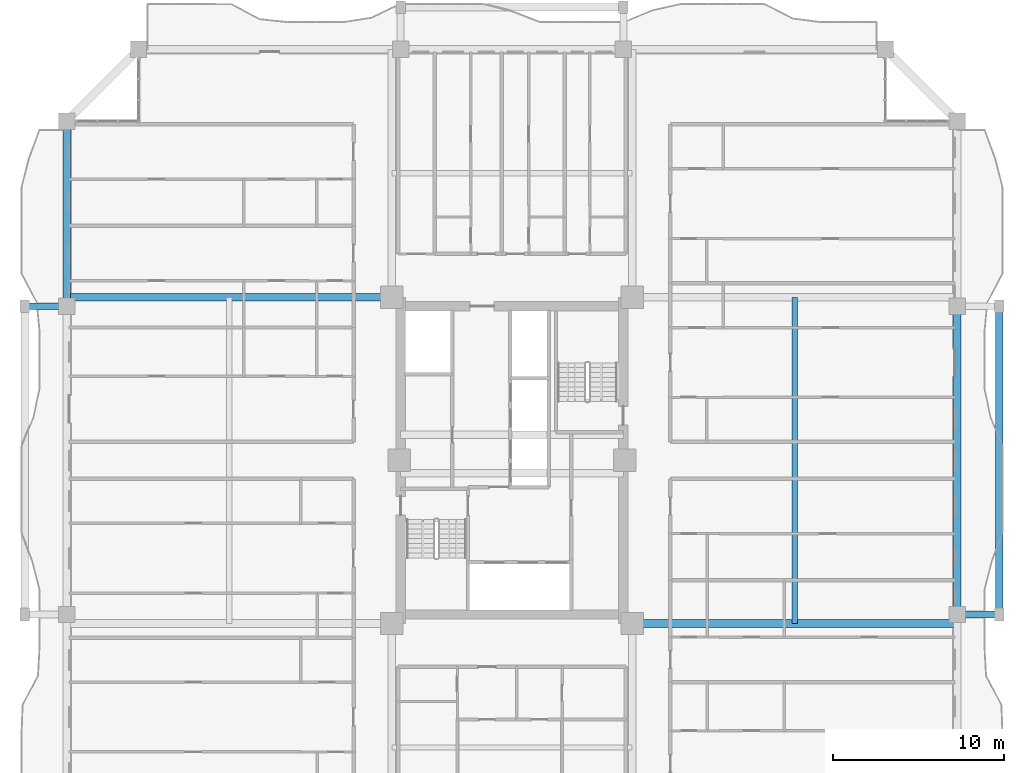
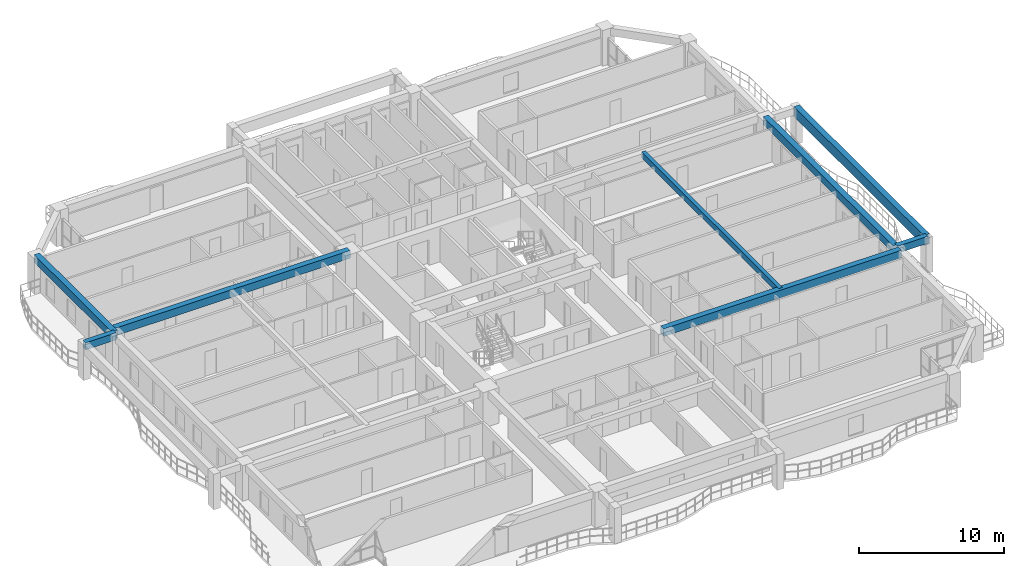
# One storey, part 5 of 26: 8 beams.
"""IFC4 building model written with IfcOpenShell, lengths in metres."""

import ifcopenshell
import ifcopenshell.guid

model = None  # the IFC model being written
_history = None  # IfcOwnerHistory: only IFC2X3 demands one
_inside = {}  # id of a spatial element -> (the spatial element, [elements in it])
_under = {}  # id of a project, library or spatial element -> (it, [spatial elements below it])
_declared = {}  # id of a project -> (the project, [libraries it declares])
_typed = {}  # id of a type object -> (the type object, [elements of that type])
_made_of = {}  # id of a material, layer set ... -> (it, [elements and type objects made of it])


def new_model(schema):
    """Start an empty IFC model of exactly this schema.

    Asked for "IFC4X3", IfcOpenShell would pick the latest addendum, in which some entities
    have other attributes; the version numbers below select the first issue.
    IFC2X3 requires an IfcOwnerHistory on every rooted entity: one is made here for all.
    """
    global model, _history
    if schema == "IFC4X3":
        model = ifcopenshell.file(schema_version=(4, 3, 0, 0))
    else:
        model = ifcopenshell.file(schema=schema)
    _inside.clear()
    _under.clear()
    _declared.clear()
    _typed.clear()
    _made_of.clear()
    _history = None
    if model.schema == "IFC2X3":
        org = make("IfcOrganization", Name="unknown")
        user = make(
            "IfcPersonAndOrganization",
            ThePerson=make("IfcPerson", FamilyName="unknown"),
            TheOrganization=org,
        )
        app = make(
            "IfcApplication",
            ApplicationDeveloper=org,
            Version="unknown",
            ApplicationFullName="unknown",
            ApplicationIdentifier="unknown",
        )
        _history = make(
            "IfcOwnerHistory",
            OwningUser=user,
            OwningApplication=app,
            ChangeAction="ADDED",
            CreationDate=0,
        )
    return model


def make(cls, **values):
    """One entity of the class cls with the attributes given. An attribute that is None is left unset."""
    return model.create_entity(
        cls, **{name: value for name, value in values.items() if value is not None}
    )


def rooted(cls, **values):
    """An entity with a GlobalId (a new one), such as an element, a storey or a relation."""
    return make(cls, GlobalId=ifcopenshell.guid.new(), OwnerHistory=_history, **values)


def si_unit(unit_type, name, prefix=None):
    """IfcSIUnit, for example si_unit("LENGTHUNIT", "METRE", prefix="MILLI")."""
    return make("IfcSIUnit", UnitType=unit_type, Prefix=prefix, Name=name)


def assignment(units):
    """IfcUnitAssignment: the units of a project."""
    return None if units is None else make("IfcUnitAssignment", Units=units)


def point(xyz):
    """IfcCartesianPoint."""
    return None if xyz is None else make("IfcCartesianPoint", Coordinates=xyz)


def direction(xyz):
    """IfcDirection."""
    return None if xyz is None else make("IfcDirection", DirectionRatios=xyz)


def frame(location, z_axis=None, x_axis=None):
    """IfcAxis2Placement3D, a coordinate frame: its origin and axes. An axis left out is left unset."""
    return make(
        "IfcAxis2Placement3D",
        Location=point(location),
        Axis=direction(z_axis),
        RefDirection=direction(x_axis),
    )


def frame_2d(location, x_axis=None):
    """IfcAxis2Placement2D, a coordinate frame in the plane: its origin and x axis."""
    return make(
        "IfcAxis2Placement2D", Location=point(location), RefDirection=direction(x_axis)
    )


def origin():
    """The frame at (0, 0, 0) with its axes left unset."""
    return frame((0.0, 0.0, 0.0))


def origin_2d():
    """The frame at (0, 0) in the plane with its x axis left unset."""
    return frame_2d((0.0, 0.0))


def place(relative_to, where):
    """IfcLocalPlacement: puts the frame where relative to a parent placement (None: the world)."""
    return make(
        "IfcLocalPlacement", PlacementRelTo=relative_to, RelativePlacement=where
    )


def context(
    kind, dimensions, precision=None, world=None, true_north=None, identifier=None
):
    """IfcGeometricRepresentationContext, for example the 3D "Model" context."""
    return make(
        "IfcGeometricRepresentationContext",
        ContextIdentifier=identifier,
        ContextType=kind,
        CoordinateSpaceDimension=dimensions,
        Precision=precision,
        WorldCoordinateSystem=world,
        TrueNorth=true_north,
    )


def subcontext(parent, identifier, kind, view, scale=None):
    """IfcGeometricRepresentationSubContext, for example "Body" below "Model"."""
    return make(
        "IfcGeometricRepresentationSubContext",
        ContextIdentifier=identifier,
        ContextType=kind,
        ParentContext=parent,
        TargetScale=scale,
        TargetView=view,
    )


def project(units=None, contexts=None):
    """IfcProject with its units and contexts."""
    return rooted(
        "IfcProject",
        Name="project",
        RepresentationContexts=contexts,
        UnitsInContext=assignment(units),
    )


def spatial(cls, under=None, at=None, **own):
    """A site, building, storey or space (cls), placed at a placement, below another one or the project."""
    s = rooted(cls, ObjectPlacement=at, **own)
    if under is not None:
        _under.setdefault(under.id(), (under, []))[1].append(s)
    return s


def profile(cls, at=None, kind="AREA", **sizes):
    """A parametric profile (cls). Its sizes go by their IFC names, for example OverallWidth=200.0."""
    return make(cls, ProfileType=kind, Position=at, **sizes)


def rectangle(**sizes):
    """IfcRectangleProfileDef."""
    return profile("IfcRectangleProfileDef", **sizes)


def extrude(swept, where, along, depth):
    """IfcExtrudedAreaSolid: the profile swept, set in the frame where, extruded along a direction by depth."""
    return make(
        "IfcExtrudedAreaSolid",
        SweptArea=swept,
        Position=where,
        ExtrudedDirection=direction(along),
        Depth=depth,
    )


def shape(context_of_items, identifier, shape_type, items):
    """IfcShapeRepresentation: the items that make up one representation, for example the "Body"."""
    return make(
        "IfcShapeRepresentation",
        ContextOfItems=context_of_items,
        RepresentationIdentifier=identifier,
        RepresentationType=shape_type,
        Items=items,
    )


def source(mapping_origin, context_of_items, identifier, shape_type, items):
    """IfcRepresentationMap: a shape defined once, which mapped items show again and again."""
    return make(
        "IfcRepresentationMap",
        MappingOrigin=mapping_origin,
        MappedRepresentation=shape(context_of_items, identifier, shape_type, items),
    )


def transform(
    local_origin,
    x_axis=None,
    y_axis=None,
    z_axis=None,
    scale=None,
    scale2=None,
    scale3=None,
    uniform=True,
):
    """IfcCartesianTransformationOperator3D, or its non-uniform kind. x_axis, y_axis, z_axis: its Axis1, 2, 3."""
    if uniform:
        return make(
            "IfcCartesianTransformationOperator3D",
            Axis1=direction(x_axis),
            Axis2=direction(y_axis),
            LocalOrigin=point(local_origin),
            Scale=scale,
            Axis3=direction(z_axis),
        )
    return make(
        "IfcCartesianTransformationOperator3DnonUniform",
        Axis1=direction(x_axis),
        Axis2=direction(y_axis),
        LocalOrigin=point(local_origin),
        Scale=scale,
        Axis3=direction(z_axis),
        Scale2=scale2,
        Scale3=scale3,
    )


def mapped(mapping_source, mapping_target):
    """IfcMappedItem: shows the shape of a source again, moved by a transform."""
    return make(
        "IfcMappedItem", MappingSource=mapping_source, MappingTarget=mapping_target
    )


def material(Name=None, Category=None):
    """IfcMaterial."""
    return make("IfcMaterial", Name=Name, Category=Category)


def material_profile(
    of_material, cross_section, Name=None, Category=None, Priority=None
):
    """IfcMaterialProfile: a cross section and its material."""
    return make(
        "IfcMaterialProfile",
        Name=Name,
        Material=of_material,
        Profile=cross_section,
        Priority=Priority,
        Category=Category,
    )


def profile_set(profiles, Name=None, composite=None):
    """IfcMaterialProfileSet."""
    return make(
        "IfcMaterialProfileSet",
        Name=Name,
        MaterialProfiles=profiles,
        CompositeProfile=composite,
    )


def made_of(thing, what):
    """Note that an element or type object is made of a material, layer set ...; save() writes the relation."""
    if what is not None:
        _made_of.setdefault(what.id(), (what, []))[1].append(thing)
    return thing


def type_object(cls, material=None, **own):
    """A type object (cls), such as IfcWallType, which elements share."""
    return made_of(rooted(cls, **own), material)


def element(
    cls,
    number,
    at=None,
    inside=None,
    cuts=None,
    type_object=None,
    material=None,
    context=None,
    identifier="Body",
    shape_type=None,
    held_by="IfcProductDefinitionShape",
    body=None,
    shapes=None,
    **own,
):
    """One element of the class cls, such as IfcWall. Its Tag is "e" and its number.

    at: its placement. inside: the storey or other place that contains it. cuts: it is an
    opening in that element (IfcRelVoidsElement). A single representation is given by context,
    identifier, shape_type and body (its items); several are given by shapes. held_by: the class
    of the entity that holds the representations. save() writes the other relations.
    """
    e = rooted(cls, Tag="e%d" % number, ObjectPlacement=at, **own)
    if body is not None:
        shapes = [shape(context, identifier, shape_type, body)]
    if shapes is not None:
        e.Representation = make(held_by, Representations=shapes)
    if inside is not None:
        _inside.setdefault(inside.id(), (inside, []))[1].append(e)
    if cuts is not None:
        rooted(
            "IfcRelVoidsElement", RelatingBuildingElement=cuts, RelatedOpeningElement=e
        )
    if type_object is not None:
        _typed.setdefault(type_object.id(), (type_object, []))[1].append(e)
    return made_of(e, material)


def aggregate(whole, parts):
    """IfcRelAggregates: a whole, such as a stair, and the parts it consists of."""
    return rooted("IfcRelAggregates", RelatingObject=whole, RelatedObjects=parts)


def save(model, path):
    """Write the relations noted so far, then the file.

    IfcRelAggregates (storeys below a building ...), IfcRelContainedInSpatialStructure (elements
    in a storey), IfcRelDefinesByType, IfcRelAssociatesMaterial and IfcRelDeclares: one each for
    every whole, place, type object, material and project.
    """
    for whole, parts in _under.values():
        aggregate(whole, parts)
    for where, things in _inside.values():
        rooted(
            "IfcRelContainedInSpatialStructure",
            RelatedElements=things,
            RelatingStructure=where,
        )
    for kind, things in _typed.values():
        rooted("IfcRelDefinesByType", RelatedObjects=things, RelatingType=kind)
    for what, things in _made_of.values():
        rooted("IfcRelAssociatesMaterial", RelatedObjects=things, RelatingMaterial=what)
    for by, libraries in _declared.values():
        rooted("IfcRelDeclares", RelatingContext=by, RelatedDefinitions=libraries)
    model.write(path)


model = new_model("IFC4")

# Units and contexts
model_context = context("Model", 3, precision=1e-05, world=origin(), true_north=direction((0.0, 1.0)))
body_context = subcontext(model_context, "Body", "Model", "MODEL_VIEW")
ifc_project = project(units=[si_unit("LENGTHUNIT", "METRE"), si_unit("AREAUNIT", "SQUARE_METRE"), si_unit("VOLUMEUNIT", "CUBIC_METRE"), si_unit("PLANEANGLEUNIT", "RADIAN"), si_unit("MASSUNIT", "GRAM", prefix="KILO")], contexts=[model_context])

# Site, building, storey
site_placement = place(None, origin())
site = spatial("IfcSite", under=ifc_project, at=site_placement, CompositionType="ELEMENT")
building_placement = place(site_placement, origin())
building = spatial("IfcBuilding", under=site, at=building_placement, Name="Saelheon Loggia Tower", CompositionType="ELEMENT")
storey_placement = place(building_placement, frame((0.0, 0.0, 116.85009765625)))
storey = spatial("IfcBuildingStorey", under=building, at=storey_placement, Name="L37", CompositionType="ELEMENT", Elevation=116.85009765625)

# Beams
ifc_material_1 = material(Name="Precast Concrete C45/55", Category="concrete")
ifc_material_profile_1 = material_profile(ifc_material_1, rectangle(XDim=0.39990234375, YDim=0.60009765625, at=origin_2d()), Name="RC-400x600")
ifc_profile_set_1 = profile_set([ifc_material_profile_1], Name="Precast Concrete C45/55")
beam_type_1 = type_object("IfcBeamType", Name="Beam_LoggiaTie_RC400x600", PredefinedType="BEAM", material=ifc_profile_set_1)
shared_shape_1 = source(origin(), body_context, "Body", "SweptSolid", [
    extrude(rectangle(XDim=0.39990234375, YDim=0.60009765625, at=origin_2d()), origin(), (0.0, 0.0, 1.0), 2.449951171875),
])
for number, where, z_axis, x_axis, name in (
    (1, (64.0, 18.0, 2.699951171875), (1.0, 0.0, 0.0), (0.0, 1.0, 0.0), "L37 Loggia Frame Tie Beam LP-E1"),
    (2, (12.0, 36.0, 2.699951171875), (-1.0, 0.0, 0.0), (0.0, -1.0, 0.0), "L37 Loggia Frame Tie Beam LP-W2"),
):
    element("IfcBeam", number, at=place(storey_placement, frame(where, z_axis=z_axis, x_axis=x_axis)), inside=storey, type_object=beam_type_1, Name=name, PredefinedType="BEAM", context=body_context, shape_type="MappedRepresentation", body=[
        mapped(shared_shape_1, transform((0.0, 0.0, 0.0), scale=1.0)),
    ])
ifc_material_profile_2 = material_profile(ifc_material_1, rectangle(XDim=0.449951171875, YDim=0.85009765625, at=origin_2d()), Name="RC-450x850")
ifc_profile_set_2 = profile_set([ifc_material_profile_2], Name="Precast Concrete C45/55")
beam_type_2 = type_object("IfcBeamType", Name="Beam_LoggiaSpandrel_RC450x850", PredefinedType="SPANDREL", material=ifc_profile_set_2)
shared_shape_2 = source(origin(), body_context, "Body", "SweptSolid", [
    extrude(rectangle(XDim=0.449951171875, YDim=0.85009765625, at=origin_2d()), origin(), (0.0, 0.0, 1.0), 18.0),
])
beam_1_placement = place(storey_placement, frame((66.449951171875, 18.0, 2.574951171875), z_axis=(0.0, 1.0, 0.0), x_axis=(-1.0, 0.0, 0.0)))
element("IfcBeam", 3, at=beam_1_placement, inside=storey, type_object=beam_type_2, Name="L37 Loggia Spandrel Beam E", PredefinedType="SPANDREL", context=body_context, shape_type="MappedRepresentation", body=[
    mapped(shared_shape_2, transform((0.0, 0.0, 0.0), scale=1.0)),
])
ifc_material_2 = material(Name="Concrete C40/50", Category="concrete")
ifc_material_profile_3 = material_profile(ifc_material_2, rectangle(XDim=0.449951171875, YDim=0.64990234375, at=origin_2d()), Name="RC-450x650")
ifc_profile_set_3 = profile_set([ifc_material_profile_3], Name="Concrete C40/50")
beam_type_3 = type_object("IfcBeamType", Name="Beam_PerimTower_RC450x650", PredefinedType="BEAM", material=ifc_profile_set_3)
shared_shape_3 = source(origin(), body_context, "Body", "SweptSolid", [
    extrude(rectangle(XDim=0.449951171875, YDim=0.64990234375, at=origin_2d()), origin(), (0.0, 0.0, 1.0), 10.800048828125),
])
beam_2_placement = place(storey_placement, frame((12.0, 46.800048828125, 2.6748046875), z_axis=(0.0, -1.0, 0.0), x_axis=(1.0, 0.0, 0.0)))
element("IfcBeam", 4, at=beam_2_placement, inside=storey, type_object=beam_type_3, Name="L37 Perimeter Frame Girder 13", PredefinedType="BEAM", context=body_context, shape_type="MappedRepresentation", body=[
    mapped(shared_shape_3, transform((0.0, 0.0, 0.0), scale=1.0)),
])
shared_shape_4 = source(origin(), body_context, "Body", "SweptSolid", [
    extrude(rectangle(XDim=0.449951171875, YDim=0.64990234375, at=origin_2d()), origin(), (0.0, 0.0, 1.0), 18.0),
])
beam_3_placement = place(storey_placement, frame((64.0, 18.0, 2.6748046875), z_axis=(0.0, 1.0, 0.0), x_axis=(-1.0, 0.0, 0.0)))
element("IfcBeam", 5, at=beam_3_placement, inside=storey, type_object=beam_type_3, Name="L37 Perimeter Frame Girder 06", PredefinedType="BEAM", context=body_context, shape_type="MappedRepresentation", body=[
    mapped(shared_shape_4, transform((0.0, 0.0, 0.0), scale=1.0)),
])
ifc_material_profile_4 = material_profile(ifc_material_2, rectangle(XDim=0.449951171875, YDim=0.64990234375, at=origin_2d()), Name="RC-450x650")
ifc_profile_set_4 = profile_set([ifc_material_profile_4], Name="Concrete C40/50")
beam_type_4 = type_object("IfcBeamType", Name="Beam_TowerGirder_RC450x650", PredefinedType="BEAM", material=ifc_profile_set_4)
shared_shape_5 = source(origin(), body_context, "Body", "SweptSolid", [
    extrude(rectangle(XDim=0.449951171875, YDim=0.64990234375, at=origin_2d()), origin(), (0.0, 0.0, 1.0), 18.97998046875),
])
for number, where, z_axis, x_axis, name in (
    (6, (30.97998046875, 36.52001953125, 2.6748046875), (-1.0, 0.0, 0.0), (0.0, -1.0, 0.0), "L37 Radial Floor Girder RAD-NW-W"),
    (7, (45.02001953125, 17.47998046875, 2.6748046875), (1.0, 0.0, 0.0), (0.0, 1.0, 0.0), "L37 Radial Floor Girder RAD-SE-E"),
):
    element("IfcBeam", number, at=place(storey_placement, frame(where, z_axis=z_axis, x_axis=x_axis)), inside=storey, type_object=beam_type_4, Name=name, PredefinedType="BEAM", context=body_context, shape_type="MappedRepresentation", body=[
        mapped(shared_shape_5, transform((0.0, 0.0, 0.0), scale=1.0)),
    ])
ifc_material_profile_5 = material_profile(ifc_material_2, rectangle(XDim=0.300048828125, YDim=0.5, at=origin_2d()), Name="RC-300x500")
ifc_profile_set_5 = profile_set([ifc_material_profile_5], Name="Concrete C40/50")
beam_type_5 = type_object("IfcBeamType", Name="Beam_Joist_RC300x500", PredefinedType="JOIST", material=ifc_profile_set_5)
shared_shape_6 = source(origin(), body_context, "Body", "SweptSolid", [
    extrude(rectangle(XDim=0.300048828125, YDim=0.5, at=origin_2d()), origin(), (0.0, 0.0, 1.0), 19.0400390625),
])
beam_4_placement = place(storey_placement, frame((54.510009765625, 17.47998046875, 2.75), z_axis=(0.0, 1.0, 0.0), x_axis=(-1.0, 0.0, 0.0)))
element("IfcBeam", 8, at=beam_4_placement, inside=storey, type_object=beam_type_5, Name="L37 East Floor Joist", PredefinedType="JOIST", context=body_context, shape_type="MappedRepresentation", body=[
    mapped(shared_shape_6, transform((0.0, 0.0, 0.0), scale=1.0)),
])

save(model, "model.ifc")
